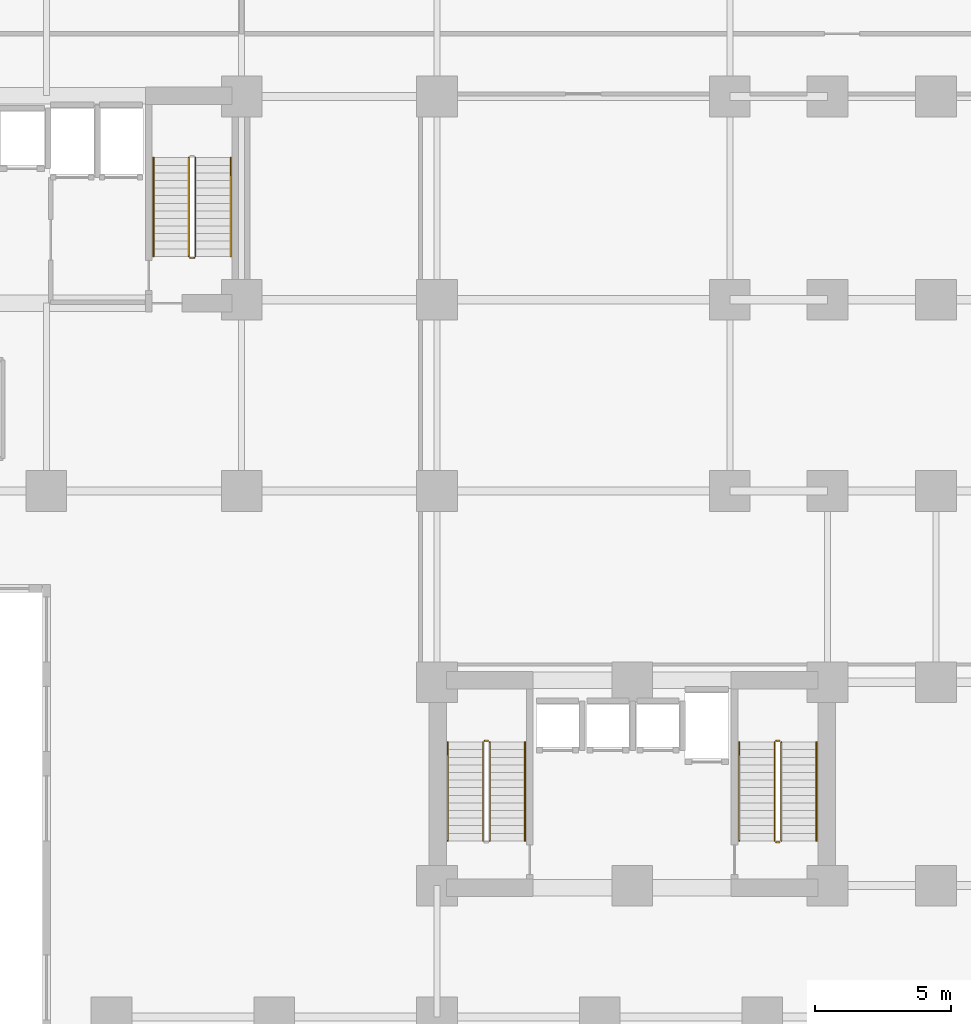
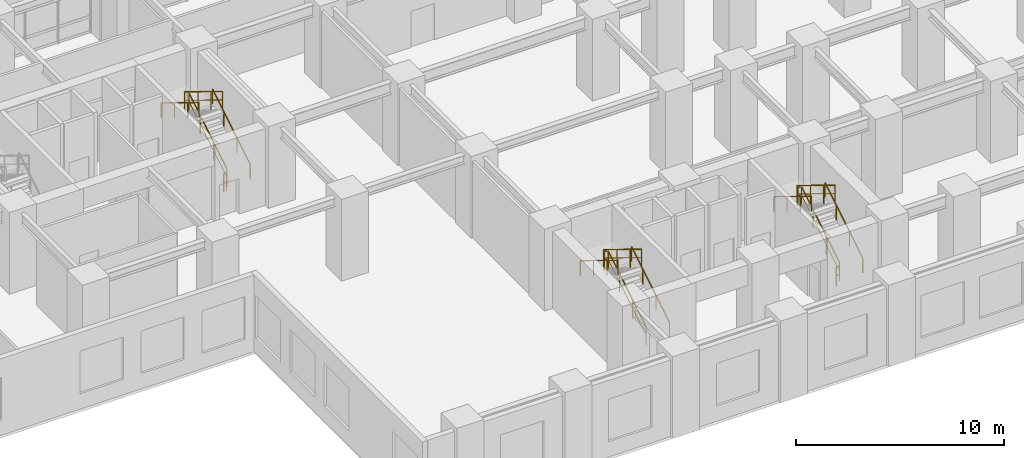
# One storey, part 21 of 22: 16 railings.
"""IFC4 building model written with IfcOpenShell, lengths in metres."""

from ifc_helpers import new_model, si_unit, direction, frame, origin, origin_2d, place, context, subcontext, project, spatial, rectangle, extrude, material, type_object, element, save


model = new_model("IFC4")

# Units and contexts
model_context = context("Model", 3, precision=1e-05, world=origin(), true_north=direction((0.0, 1.0)))
body_context = subcontext(model_context, "Body", "Model", "MODEL_VIEW")
ifc_project = project(units=[si_unit("LENGTHUNIT", "METRE"), si_unit("AREAUNIT", "SQUARE_METRE"), si_unit("VOLUMEUNIT", "CUBIC_METRE"), si_unit("PLANEANGLEUNIT", "RADIAN"), si_unit("MASSUNIT", "GRAM", prefix="KILO")], contexts=[model_context])

# Site, building, storey
site_placement = place(None, origin())
site = spatial("IfcSite", under=ifc_project, at=site_placement, CompositionType="ELEMENT")
building_placement = place(site_placement, origin())
building = spatial("IfcBuilding", under=site, at=building_placement, Name="Kaliganga Portal Commons", CompositionType="ELEMENT")
storey_placement = place(building_placement, frame((0.0, 0.0, 10.199951171875)))
storey = spatial("IfcBuildingStorey", under=building, at=storey_placement, Name="L02", CompositionType="ELEMENT", Elevation=10.199951171875)

# Railings
ifc_material_1 = material(Name="Galvanized Painted Steel Balustrade", Category="steel")
railing_type_1 = type_object("IfcRailingType", Name="RLG-STAIR-GRD", PredefinedType="GUARDRAIL", material=ifc_material_1)
railing_1_placement = place(storey_placement, frame((27.10009765625, 30.25, 0.17138671875)))
element("IfcRailing", 1, at=railing_1_placement, inside=storey, type_object=railing_type_1, Name="L02 ST-A2 stair guard 1", PredefinedType="GUARDRAIL", context=body_context, shape_type="SweptSolid", body=[
    extrude(rectangle(XDim=0.048095703125, YDim=0.048095703125, at=origin_2d()), frame((0.0, 0.0, 1.072021484375), z_axis=(0.0, 0.852824790078, 0.522197163366), x_axis=(-1.0, 0.0, 0.0)), (0.0, 0.0, 1.0), 4.26806640625),
    extrude(rectangle(XDim=0.028076171875, YDim=0.028076171875, at=origin_2d()), frame((0.0, 0.0, 0.572021484375), z_axis=(0.0, 0.852824790078, 0.522197163366), x_axis=(-1.0, 0.0, 0.0)), (0.0, 0.0, 1.0), 4.26806640625),
    extrude(rectangle(XDim=0.0419921875, YDim=0.0419921875, at=origin_2d()), origin(), (0.0, 0.0, 1.0), 1.052001953125),
    extrude(rectangle(XDim=0.0419921875, YDim=0.0419921875, at=origin_2d()), frame((0.0, 1.279296875, 0.783203125)), (0.0, 0.0, 1.0), 1.052001953125),
    extrude(rectangle(XDim=0.0419921875, YDim=0.0419921875, at=origin_2d()), frame((0.0, 2.55859375, 1.566650390625)), (0.0, 0.0, 1.0), 1.052001953125),
    extrude(rectangle(XDim=0.0419921875, YDim=0.0419921875, at=origin_2d()), frame((0.0, 3.639892578125, 2.228759765625)), (0.0, 0.0, 1.0), 1.052001953125),
])
railing_2_placement = place(storey_placement, frame((26.85009765625, 33.889892578125, 2.571533203125)))
element("IfcRailing", 2, at=railing_2_placement, inside=storey, type_object=railing_type_1, Name="L02 ST-A2 stair guard 3", PredefinedType="GUARDRAIL", context=body_context, shape_type="SweptSolid", body=[
    extrude(rectangle(XDim=0.048095703125, YDim=0.048095703125, at=origin_2d()), frame((0.0, 0.0, 1.072021484375), z_axis=(0.0, -0.852850264322, 0.5221555579), x_axis=(1.0, 0.0, 0.0)), (0.0, 0.0, 1.0), 4.267822265625),
    extrude(rectangle(XDim=0.028076171875, YDim=0.028076171875, at=origin_2d()), frame((0.0, 0.0, 0.572021484375), z_axis=(0.0, -0.852850264322, 0.5221555579), x_axis=(1.0, 0.0, 0.0)), (0.0, 0.0, 1.0), 4.267822265625),
    extrude(rectangle(XDim=0.0419921875, YDim=0.0419921875, at=origin_2d()), origin(), (0.0, 0.0, 1.0), 1.052001953125),
    extrude(rectangle(XDim=0.0419921875, YDim=0.0419921875, at=origin_2d()), frame((0.0, -1.279296875, 0.783203125)), (0.0, 0.0, 1.0), 1.052001953125),
    extrude(rectangle(XDim=0.0419921875, YDim=0.0419921875, at=origin_2d()), frame((0.0, -2.55859375, 1.56640625)), (0.0, 0.0, 1.0), 1.052001953125),
    extrude(rectangle(XDim=0.0419921875, YDim=0.0419921875, at=origin_2d()), frame((0.0, -3.639892578125, 2.228515625)), (0.0, 0.0, 1.0), 1.052001953125),
])
railing_3_placement = place(storey_placement, frame((27.050048828125, 30.199951171875, 0.0)))
element("IfcRailing", 3, at=railing_3_placement, inside=storey, type_object=railing_type_1, Name="L02 ST-A2 stair guard 4", PredefinedType="GUARDRAIL", context=body_context, shape_type="SweptSolid", body=[
    extrude(rectangle(XDim=0.048095703125, YDim=0.048095703125, at=origin_2d()), frame((0.0, 0.0, 1.076171875), z_axis=(-1.0, 0.0, 0.0), x_axis=(0.0, -1.0, 0.0)), (0.0, 0.0, 1.0), 0.150146484375),
    extrude(rectangle(XDim=0.028076171875, YDim=0.028076171875, at=origin_2d()), frame((0.0, 0.0, 0.572021484375), z_axis=(-1.0, 0.0, 0.0), x_axis=(0.0, -1.0, 0.0)), (0.0, 0.0, 1.0), 0.150146484375),
    extrude(rectangle(XDim=0.0419921875, YDim=0.0419921875, at=origin_2d()), origin(), (0.0, 0.0, 1.0), 1.052001953125),
    extrude(rectangle(XDim=0.0419921875, YDim=0.0419921875, at=origin_2d()), frame((-0.150146484375, 0.0, 0.0)), (0.0, 0.0, 1.0), 1.052001953125),
])
railing_4_placement = place(storey_placement, frame((37.949951171875, 8.699951171875, 0.17138671875)))
element("IfcRailing", 4, at=railing_4_placement, inside=storey, type_object=railing_type_1, Name="L02 ST-B1 stair guard 1", PredefinedType="GUARDRAIL", context=body_context, shape_type="SweptSolid", body=[
    extrude(rectangle(XDim=0.048095703125, YDim=0.048095703125, at=origin_2d()), frame((0.0, 0.0, 1.072021484375), z_axis=(0.0, 0.852840387347, 0.522171689878), x_axis=(-1.0, 0.0, 0.0)), (0.0, 0.0, 1.0), 4.268310546875),
    extrude(rectangle(XDim=0.028076171875, YDim=0.028076171875, at=origin_2d()), frame((0.0, 0.0, 0.572021484375), z_axis=(0.0, 0.852840387347, 0.522171689878), x_axis=(-1.0, 0.0, 0.0)), (0.0, 0.0, 1.0), 4.268310546875),
    extrude(rectangle(XDim=0.0419921875, YDim=0.0419921875, at=origin_2d()), origin(), (0.0, 0.0, 1.0), 1.052001953125),
    extrude(rectangle(XDim=0.0419921875, YDim=0.0419921875, at=origin_2d()), frame((0.0, 1.279296875, 0.783203125)), (0.0, 0.0, 1.0), 1.052001953125),
    extrude(rectangle(XDim=0.0419921875, YDim=0.0419921875, at=origin_2d()), frame((0.0, 2.55859375, 1.56640625)), (0.0, 0.0, 1.0), 1.052001953125),
    extrude(rectangle(XDim=0.0419921875, YDim=0.0419921875, at=origin_2d()), frame((0.0, 3.64013671875, 2.228759765625)), (0.0, 0.0, 1.0), 1.052001953125),
])
railing_5_placement = place(storey_placement, frame((37.89990234375, 12.389892578125, 2.400146484375)))
element("IfcRailing", 5, at=railing_5_placement, inside=storey, type_object=railing_type_1, Name="L02 ST-B1 stair guard 2", PredefinedType="GUARDRAIL", context=body_context, shape_type="SweptSolid", body=[
    extrude(rectangle(XDim=0.048095703125, YDim=0.048095703125, at=origin_2d()), frame((0.0, 0.0, 1.076171875), z_axis=(-1.0, 0.0, 0.0), x_axis=(0.0, -1.0, 0.0)), (0.0, 0.0, 1.0), 0.14990234375),
    extrude(rectangle(XDim=0.028076171875, YDim=0.028076171875, at=origin_2d()), frame((0.0, 0.0, 0.572021484375), z_axis=(-1.0, 0.0, 0.0), x_axis=(0.0, -1.0, 0.0)), (0.0, 0.0, 1.0), 0.14990234375),
    extrude(rectangle(XDim=0.0419921875, YDim=0.0419921875, at=origin_2d()), frame((-0.14990234375, 0.0, 0.0)), (0.0, 0.0, 1.0), 1.052001953125),
])
railing_6_placement = place(storey_placement, frame((37.699951171875, 12.340087890625, 2.571533203125)))
element("IfcRailing", 6, at=railing_6_placement, inside=storey, type_object=railing_type_1, Name="L02 ST-B1 stair guard 3", PredefinedType="GUARDRAIL", context=body_context, shape_type="SweptSolid", body=[
    extrude(rectangle(XDim=0.048095703125, YDim=0.048095703125, at=origin_2d()), frame((0.0, 0.0, 1.072021484375), z_axis=(0.0, -0.852865859571, 0.52213008492), x_axis=(1.0, 0.0, 0.0)), (0.0, 0.0, 1.0), 4.26806640625),
    extrude(rectangle(XDim=0.028076171875, YDim=0.028076171875, at=origin_2d()), frame((0.0, 0.0, 0.572021484375), z_axis=(0.0, -0.852865859571, 0.52213008492), x_axis=(1.0, 0.0, 0.0)), (0.0, 0.0, 1.0), 4.26806640625),
    extrude(rectangle(XDim=0.0419921875, YDim=0.0419921875, at=origin_2d()), origin(), (0.0, 0.0, 1.0), 1.052001953125),
    extrude(rectangle(XDim=0.0419921875, YDim=0.0419921875, at=origin_2d()), frame((0.0, -1.279296875, 0.783203125)), (0.0, 0.0, 1.0), 1.052001953125),
    extrude(rectangle(XDim=0.0419921875, YDim=0.0419921875, at=origin_2d()), frame((0.0, -2.55859375, 1.56640625)), (0.0, 0.0, 1.0), 1.052001953125),
    extrude(rectangle(XDim=0.0419921875, YDim=0.0419921875, at=origin_2d()), frame((0.0, -3.64013671875, 2.228515625)), (0.0, 0.0, 1.0), 1.052001953125),
])
railing_7_placement = place(storey_placement, frame((48.699951171875, 8.699951171875, 0.17138671875)))
element("IfcRailing", 7, at=railing_7_placement, inside=storey, type_object=railing_type_1, Name="L02 ST-B2 stair guard 1", PredefinedType="GUARDRAIL", context=body_context, shape_type="SweptSolid", body=[
    extrude(rectangle(XDim=0.048095703125, YDim=0.048095703125, at=origin_2d()), frame((0.0, 0.0, 1.072021484375), z_axis=(0.0, 0.852840387347, 0.522171689878), x_axis=(-1.0, 0.0, 0.0)), (0.0, 0.0, 1.0), 4.268310546875),
    extrude(rectangle(XDim=0.028076171875, YDim=0.028076171875, at=origin_2d()), frame((0.0, 0.0, 0.572021484375), z_axis=(0.0, 0.852840387347, 0.522171689878), x_axis=(-1.0, 0.0, 0.0)), (0.0, 0.0, 1.0), 4.268310546875),
    extrude(rectangle(XDim=0.0419921875, YDim=0.0419921875, at=origin_2d()), origin(), (0.0, 0.0, 1.0), 1.052001953125),
    extrude(rectangle(XDim=0.0419921875, YDim=0.0419921875, at=origin_2d()), frame((0.0, 1.279296875, 0.783203125)), (0.0, 0.0, 1.0), 1.052001953125),
    extrude(rectangle(XDim=0.0419921875, YDim=0.0419921875, at=origin_2d()), frame((0.0, 2.55859375, 1.56640625)), (0.0, 0.0, 1.0), 1.052001953125),
    extrude(rectangle(XDim=0.0419921875, YDim=0.0419921875, at=origin_2d()), frame((0.0, 3.64013671875, 2.228759765625)), (0.0, 0.0, 1.0), 1.052001953125),
])
railing_8_placement = place(storey_placement, frame((48.64990234375, 12.389892578125, 2.400146484375)))
element("IfcRailing", 8, at=railing_8_placement, inside=storey, type_object=railing_type_1, Name="L02 ST-B2 stair guard 2", PredefinedType="GUARDRAIL", context=body_context, shape_type="SweptSolid", body=[
    extrude(rectangle(XDim=0.048095703125, YDim=0.048095703125, at=origin_2d()), frame((0.0, 0.0, 1.076171875), z_axis=(-1.0, 0.0, 0.0), x_axis=(0.0, -1.0, 0.0)), (0.0, 0.0, 1.0), 0.14990234375),
    extrude(rectangle(XDim=0.028076171875, YDim=0.028076171875, at=origin_2d()), frame((0.0, 0.0, 0.572021484375), z_axis=(-1.0, 0.0, 0.0), x_axis=(0.0, -1.0, 0.0)), (0.0, 0.0, 1.0), 0.14990234375),
    extrude(rectangle(XDim=0.0419921875, YDim=0.0419921875, at=origin_2d()), frame((-0.14990234375, 0.0, 0.0)), (0.0, 0.0, 1.0), 1.052001953125),
])
railing_9_placement = place(storey_placement, frame((48.449951171875, 12.340087890625, 2.571533203125)))
element("IfcRailing", 9, at=railing_9_placement, inside=storey, type_object=railing_type_1, Name="L02 ST-B2 stair guard 3", PredefinedType="GUARDRAIL", context=body_context, shape_type="SweptSolid", body=[
    extrude(rectangle(XDim=0.048095703125, YDim=0.048095703125, at=origin_2d()), frame((0.0, 0.0, 1.072021484375), z_axis=(0.0, -0.852865859571, 0.52213008492), x_axis=(1.0, 0.0, 0.0)), (0.0, 0.0, 1.0), 4.26806640625),
    extrude(rectangle(XDim=0.028076171875, YDim=0.028076171875, at=origin_2d()), frame((0.0, 0.0, 0.572021484375), z_axis=(0.0, -0.852865859571, 0.52213008492), x_axis=(1.0, 0.0, 0.0)), (0.0, 0.0, 1.0), 4.26806640625),
    extrude(rectangle(XDim=0.0419921875, YDim=0.0419921875, at=origin_2d()), origin(), (0.0, 0.0, 1.0), 1.052001953125),
    extrude(rectangle(XDim=0.0419921875, YDim=0.0419921875, at=origin_2d()), frame((0.0, -1.279296875, 0.783203125)), (0.0, 0.0, 1.0), 1.052001953125),
    extrude(rectangle(XDim=0.0419921875, YDim=0.0419921875, at=origin_2d()), frame((0.0, -2.55859375, 1.56640625)), (0.0, 0.0, 1.0), 1.052001953125),
    extrude(rectangle(XDim=0.0419921875, YDim=0.0419921875, at=origin_2d()), frame((0.0, -3.64013671875, 2.228515625)), (0.0, 0.0, 1.0), 1.052001953125),
])
railing_10_placement = place(storey_placement, frame((48.64990234375, 8.64990234375, 0.0)))
element("IfcRailing", 10, at=railing_10_placement, inside=storey, type_object=railing_type_1, Name="L02 ST-B2 stair guard 4", PredefinedType="GUARDRAIL", context=body_context, shape_type="SweptSolid", body=[
    extrude(rectangle(XDim=0.048095703125, YDim=0.048095703125, at=origin_2d()), frame((0.0, 0.0, 1.076171875), z_axis=(-1.0, 0.0, 0.0), x_axis=(0.0, -1.0, 0.0)), (0.0, 0.0, 1.0), 0.14990234375),
    extrude(rectangle(XDim=0.028076171875, YDim=0.028076171875, at=origin_2d()), frame((0.0, 0.0, 0.572021484375), z_axis=(-1.0, 0.0, 0.0), x_axis=(0.0, -1.0, 0.0)), (0.0, 0.0, 1.0), 0.14990234375),
    extrude(rectangle(XDim=0.0419921875, YDim=0.0419921875, at=origin_2d()), frame((-0.14990234375, 0.0, 0.0)), (0.0, 0.0, 1.0), 1.052001953125),
])
ifc_material_2 = material(Name="Brushed Stainless Steel 316", Category="steel")
railing_type_2 = type_object("IfcRailingType", Name="RLG-STAIR-HR", PredefinedType="HANDRAIL", material=ifc_material_2)
railing_11_placement = place(storey_placement, frame((28.39990234375, 30.25, 0.17138671875)))
element("IfcRailing", 11, at=railing_11_placement, inside=storey, type_object=railing_type_2, Name="L02 ST-A2 stair handrail 1", PredefinedType="HANDRAIL", context=body_context, shape_type="SweptSolid", body=[
    extrude(rectangle(XDim=0.048095703125, YDim=0.048095703125, at=origin_2d()), frame((0.0, 0.0, 0.871826171875), z_axis=(0.0, 0.852824790078, 0.522197163366), x_axis=(-1.0, 0.0, 0.0)), (0.0, 0.0, 1.0), 4.26806640625),
    extrude(rectangle(XDim=0.0419921875, YDim=0.0419921875, at=origin_2d()), origin(), (0.0, 0.0, 1.0), 0.851806640625),
    extrude(rectangle(XDim=0.0419921875, YDim=0.0419921875, at=origin_2d()), frame((0.0, 1.279296875, 0.783203125)), (0.0, 0.0, 1.0), 0.851806640625),
    extrude(rectangle(XDim=0.0419921875, YDim=0.0419921875, at=origin_2d()), frame((0.0, 2.55859375, 1.566650390625)), (0.0, 0.0, 1.0), 0.851806640625),
    extrude(rectangle(XDim=0.0419921875, YDim=0.0419921875, at=origin_2d()), frame((0.0, 3.639892578125, 2.228759765625)), (0.0, 0.0, 1.0), 0.851806640625),
])
railing_12_placement = place(storey_placement, frame((25.550048828125, 33.889892578125, 2.571533203125)))
element("IfcRailing", 12, at=railing_12_placement, inside=storey, type_object=railing_type_2, Name="L02 ST-A2 stair handrail 2", PredefinedType="HANDRAIL", context=body_context, shape_type="SweptSolid", body=[
    extrude(rectangle(XDim=0.048095703125, YDim=0.048095703125, at=origin_2d()), frame((0.0, 0.0, 0.871826171875), z_axis=(0.0, -0.852850264322, 0.5221555579), x_axis=(1.0, 0.0, 0.0)), (0.0, 0.0, 1.0), 4.267822265625),
    extrude(rectangle(XDim=0.0419921875, YDim=0.0419921875, at=origin_2d()), origin(), (0.0, 0.0, 1.0), 0.851806640625),
    extrude(rectangle(XDim=0.0419921875, YDim=0.0419921875, at=origin_2d()), frame((0.0, -1.279296875, 0.783203125)), (0.0, 0.0, 1.0), 0.851806640625),
    extrude(rectangle(XDim=0.0419921875, YDim=0.0419921875, at=origin_2d()), frame((0.0, -2.55859375, 1.56640625)), (0.0, 0.0, 1.0), 0.851806640625),
    extrude(rectangle(XDim=0.0419921875, YDim=0.0419921875, at=origin_2d()), frame((0.0, -3.639892578125, 2.228515625)), (0.0, 0.0, 1.0), 0.851806640625),
])
railing_13_placement = place(storey_placement, frame((39.25, 8.699951171875, 0.17138671875)))
element("IfcRailing", 13, at=railing_13_placement, inside=storey, type_object=railing_type_2, Name="L02 ST-B1 stair handrail 1", PredefinedType="HANDRAIL", context=body_context, shape_type="SweptSolid", body=[
    extrude(rectangle(XDim=0.048095703125, YDim=0.048095703125, at=origin_2d()), frame((0.0, 0.0, 0.871826171875), z_axis=(0.0, 0.852840387347, 0.522171689878), x_axis=(-1.0, 0.0, 0.0)), (0.0, 0.0, 1.0), 4.268310546875),
    extrude(rectangle(XDim=0.0419921875, YDim=0.0419921875, at=origin_2d()), origin(), (0.0, 0.0, 1.0), 0.851806640625),
    extrude(rectangle(XDim=0.0419921875, YDim=0.0419921875, at=origin_2d()), frame((0.0, 1.279296875, 0.783203125)), (0.0, 0.0, 1.0), 0.851806640625),
    extrude(rectangle(XDim=0.0419921875, YDim=0.0419921875, at=origin_2d()), frame((0.0, 2.55859375, 1.56640625)), (0.0, 0.0, 1.0), 0.851806640625),
    extrude(rectangle(XDim=0.0419921875, YDim=0.0419921875, at=origin_2d()), frame((0.0, 3.64013671875, 2.228759765625)), (0.0, 0.0, 1.0), 0.851806640625),
])
railing_14_placement = place(storey_placement, frame((36.39990234375, 12.340087890625, 2.571533203125)))
element("IfcRailing", 14, at=railing_14_placement, inside=storey, type_object=railing_type_2, Name="L02 ST-B1 stair handrail 2", PredefinedType="HANDRAIL", context=body_context, shape_type="SweptSolid", body=[
    extrude(rectangle(XDim=0.048095703125, YDim=0.048095703125, at=origin_2d()), frame((0.0, 0.0, 0.871826171875), z_axis=(0.0, -0.852865859571, 0.52213008492), x_axis=(1.0, 0.0, 0.0)), (0.0, 0.0, 1.0), 4.26806640625),
    extrude(rectangle(XDim=0.0419921875, YDim=0.0419921875, at=origin_2d()), origin(), (0.0, 0.0, 1.0), 0.851806640625),
    extrude(rectangle(XDim=0.0419921875, YDim=0.0419921875, at=origin_2d()), frame((0.0, -1.279296875, 0.783203125)), (0.0, 0.0, 1.0), 0.851806640625),
    extrude(rectangle(XDim=0.0419921875, YDim=0.0419921875, at=origin_2d()), frame((0.0, -2.55859375, 1.56640625)), (0.0, 0.0, 1.0), 0.851806640625),
    extrude(rectangle(XDim=0.0419921875, YDim=0.0419921875, at=origin_2d()), frame((0.0, -3.64013671875, 2.228515625)), (0.0, 0.0, 1.0), 0.851806640625),
])
railing_15_placement = place(storey_placement, frame((50.0, 8.699951171875, 0.17138671875)))
element("IfcRailing", 15, at=railing_15_placement, inside=storey, type_object=railing_type_2, Name="L02 ST-B2 stair handrail 1", PredefinedType="HANDRAIL", context=body_context, shape_type="SweptSolid", body=[
    extrude(rectangle(XDim=0.048095703125, YDim=0.048095703125, at=origin_2d()), frame((0.0, 0.0, 0.871826171875), z_axis=(0.0, 0.852840387347, 0.522171689878), x_axis=(-1.0, 0.0, 0.0)), (0.0, 0.0, 1.0), 4.268310546875),
    extrude(rectangle(XDim=0.0419921875, YDim=0.0419921875, at=origin_2d()), origin(), (0.0, 0.0, 1.0), 0.851806640625),
    extrude(rectangle(XDim=0.0419921875, YDim=0.0419921875, at=origin_2d()), frame((0.0, 1.279296875, 0.783203125)), (0.0, 0.0, 1.0), 0.851806640625),
    extrude(rectangle(XDim=0.0419921875, YDim=0.0419921875, at=origin_2d()), frame((0.0, 2.55859375, 1.56640625)), (0.0, 0.0, 1.0), 0.851806640625),
    extrude(rectangle(XDim=0.0419921875, YDim=0.0419921875, at=origin_2d()), frame((0.0, 3.64013671875, 2.228759765625)), (0.0, 0.0, 1.0), 0.851806640625),
])
railing_16_placement = place(storey_placement, frame((47.14990234375, 12.340087890625, 2.571533203125)))
element("IfcRailing", 16, at=railing_16_placement, inside=storey, type_object=railing_type_2, Name="L02 ST-B2 stair handrail 2", PredefinedType="HANDRAIL", context=body_context, shape_type="SweptSolid", body=[
    extrude(rectangle(XDim=0.048095703125, YDim=0.048095703125, at=origin_2d()), frame((0.0, 0.0, 0.871826171875), z_axis=(0.0, -0.852865859571, 0.52213008492), x_axis=(1.0, 0.0, 0.0)), (0.0, 0.0, 1.0), 4.26806640625),
    extrude(rectangle(XDim=0.0419921875, YDim=0.0419921875, at=origin_2d()), origin(), (0.0, 0.0, 1.0), 0.851806640625),
    extrude(rectangle(XDim=0.0419921875, YDim=0.0419921875, at=origin_2d()), frame((0.0, -1.279296875, 0.783203125)), (0.0, 0.0, 1.0), 0.851806640625),
    extrude(rectangle(XDim=0.0419921875, YDim=0.0419921875, at=origin_2d()), frame((0.0, -2.55859375, 1.56640625)), (0.0, 0.0, 1.0), 0.851806640625),
    extrude(rectangle(XDim=0.0419921875, YDim=0.0419921875, at=origin_2d()), frame((0.0, -3.64013671875, 2.228515625)), (0.0, 0.0, 1.0), 0.851806640625),
])

save(model, "model.ifc")
